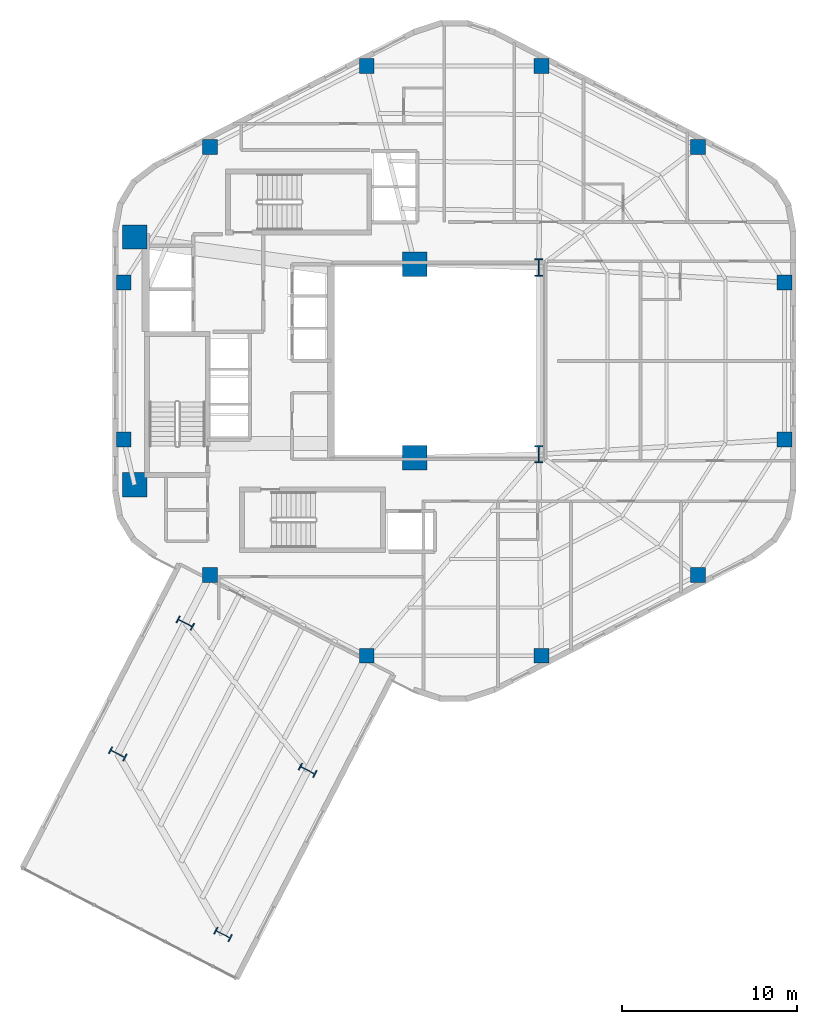
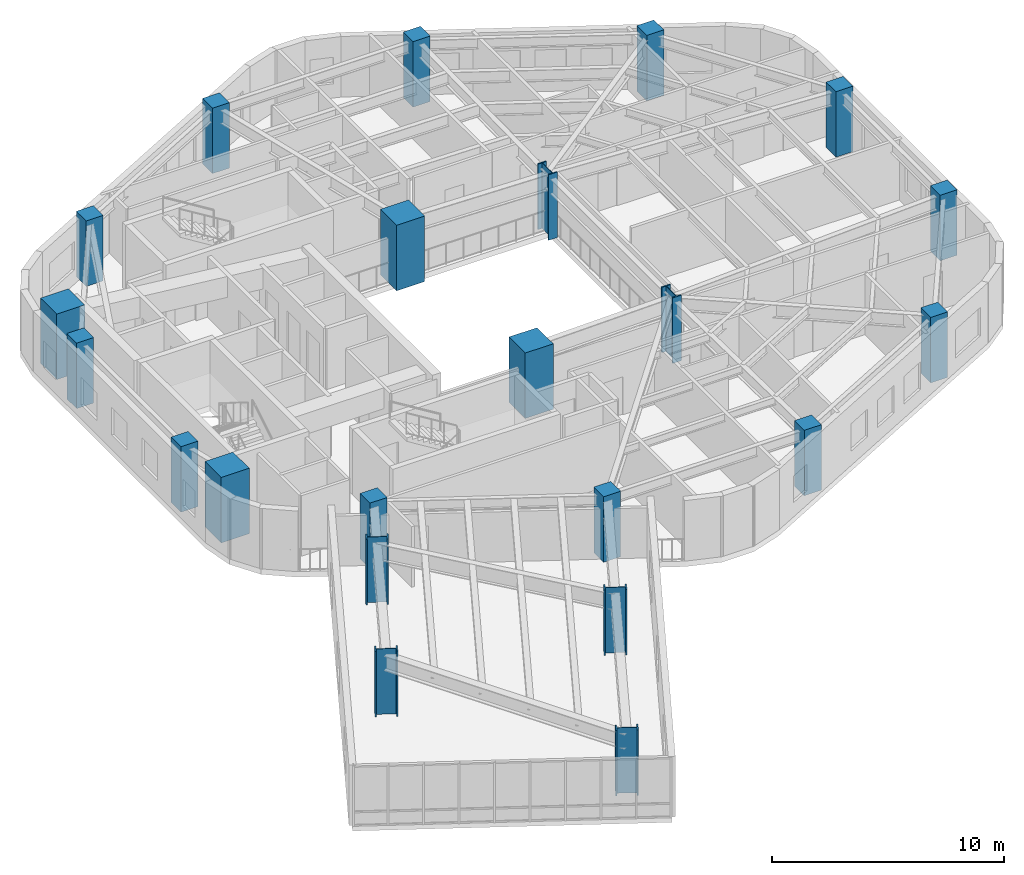
# One storey, part 1 of 10: 22 columns.
"""IFC4 building model written with IfcOpenShell, lengths in metres."""

import ifcopenshell
import ifcopenshell.guid

model = None  # the IFC model being written
_history = None  # IfcOwnerHistory: only IFC2X3 demands one
_inside = {}  # id of a spatial element -> (the spatial element, [elements in it])
_under = {}  # id of a project, library or spatial element -> (it, [spatial elements below it])
_declared = {}  # id of a project -> (the project, [libraries it declares])
_typed = {}  # id of a type object -> (the type object, [elements of that type])
_made_of = {}  # id of a material, layer set ... -> (it, [elements and type objects made of it])


def new_model(schema):
    """Start an empty IFC model of exactly this schema.

    Asked for "IFC4X3", IfcOpenShell would pick the latest addendum, in which some entities
    have other attributes; the version numbers below select the first issue.
    IFC2X3 requires an IfcOwnerHistory on every rooted entity: one is made here for all.
    """
    global model, _history
    if schema == "IFC4X3":
        model = ifcopenshell.file(schema_version=(4, 3, 0, 0))
    else:
        model = ifcopenshell.file(schema=schema)
    _inside.clear()
    _under.clear()
    _declared.clear()
    _typed.clear()
    _made_of.clear()
    _history = None
    if model.schema == "IFC2X3":
        org = make("IfcOrganization", Name="unknown")
        user = make(
            "IfcPersonAndOrganization",
            ThePerson=make("IfcPerson", FamilyName="unknown"),
            TheOrganization=org,
        )
        app = make(
            "IfcApplication",
            ApplicationDeveloper=org,
            Version="unknown",
            ApplicationFullName="unknown",
            ApplicationIdentifier="unknown",
        )
        _history = make(
            "IfcOwnerHistory",
            OwningUser=user,
            OwningApplication=app,
            ChangeAction="ADDED",
            CreationDate=0,
        )
    return model


def make(cls, **values):
    """One entity of the class cls with the attributes given. An attribute that is None is left unset."""
    return model.create_entity(
        cls, **{name: value for name, value in values.items() if value is not None}
    )


def rooted(cls, **values):
    """An entity with a GlobalId (a new one), such as an element, a storey or a relation."""
    return make(cls, GlobalId=ifcopenshell.guid.new(), OwnerHistory=_history, **values)


def si_unit(unit_type, name, prefix=None):
    """IfcSIUnit, for example si_unit("LENGTHUNIT", "METRE", prefix="MILLI")."""
    return make("IfcSIUnit", UnitType=unit_type, Prefix=prefix, Name=name)


def assignment(units):
    """IfcUnitAssignment: the units of a project."""
    return None if units is None else make("IfcUnitAssignment", Units=units)


def point(xyz):
    """IfcCartesianPoint."""
    return None if xyz is None else make("IfcCartesianPoint", Coordinates=xyz)


def direction(xyz):
    """IfcDirection."""
    return None if xyz is None else make("IfcDirection", DirectionRatios=xyz)


def frame(location, z_axis=None, x_axis=None):
    """IfcAxis2Placement3D, a coordinate frame: its origin and axes. An axis left out is left unset."""
    return make(
        "IfcAxis2Placement3D",
        Location=point(location),
        Axis=direction(z_axis),
        RefDirection=direction(x_axis),
    )


def frame_2d(location, x_axis=None):
    """IfcAxis2Placement2D, a coordinate frame in the plane: its origin and x axis."""
    return make(
        "IfcAxis2Placement2D", Location=point(location), RefDirection=direction(x_axis)
    )


def origin():
    """The frame at (0, 0, 0) with its axes left unset."""
    return frame((0.0, 0.0, 0.0))


def origin_2d():
    """The frame at (0, 0) in the plane with its x axis left unset."""
    return frame_2d((0.0, 0.0))


def place(relative_to, where):
    """IfcLocalPlacement: puts the frame where relative to a parent placement (None: the world)."""
    return make(
        "IfcLocalPlacement", PlacementRelTo=relative_to, RelativePlacement=where
    )


def context(
    kind, dimensions, precision=None, world=None, true_north=None, identifier=None
):
    """IfcGeometricRepresentationContext, for example the 3D "Model" context."""
    return make(
        "IfcGeometricRepresentationContext",
        ContextIdentifier=identifier,
        ContextType=kind,
        CoordinateSpaceDimension=dimensions,
        Precision=precision,
        WorldCoordinateSystem=world,
        TrueNorth=true_north,
    )


def subcontext(parent, identifier, kind, view, scale=None):
    """IfcGeometricRepresentationSubContext, for example "Body" below "Model"."""
    return make(
        "IfcGeometricRepresentationSubContext",
        ContextIdentifier=identifier,
        ContextType=kind,
        ParentContext=parent,
        TargetScale=scale,
        TargetView=view,
    )


def project(units=None, contexts=None):
    """IfcProject with its units and contexts."""
    return rooted(
        "IfcProject",
        Name="project",
        RepresentationContexts=contexts,
        UnitsInContext=assignment(units),
    )


def spatial(cls, under=None, at=None, **own):
    """A site, building, storey or space (cls), placed at a placement, below another one or the project."""
    s = rooted(cls, ObjectPlacement=at, **own)
    if under is not None:
        _under.setdefault(under.id(), (under, []))[1].append(s)
    return s


def profile(cls, at=None, kind="AREA", **sizes):
    """A parametric profile (cls). Its sizes go by their IFC names, for example OverallWidth=200.0."""
    return make(cls, ProfileType=kind, Position=at, **sizes)


def rectangle(**sizes):
    """IfcRectangleProfileDef."""
    return profile("IfcRectangleProfileDef", **sizes)


def i_section(**sizes):
    """IfcIShapeProfileDef."""
    return profile("IfcIShapeProfileDef", **sizes)


def extrude(swept, where, along, depth):
    """IfcExtrudedAreaSolid: the profile swept, set in the frame where, extruded along a direction by depth."""
    return make(
        "IfcExtrudedAreaSolid",
        SweptArea=swept,
        Position=where,
        ExtrudedDirection=direction(along),
        Depth=depth,
    )


def shape(context_of_items, identifier, shape_type, items):
    """IfcShapeRepresentation: the items that make up one representation, for example the "Body"."""
    return make(
        "IfcShapeRepresentation",
        ContextOfItems=context_of_items,
        RepresentationIdentifier=identifier,
        RepresentationType=shape_type,
        Items=items,
    )


def material(Name=None, Category=None):
    """IfcMaterial."""
    return make("IfcMaterial", Name=Name, Category=Category)


def material_profile(
    of_material, cross_section, Name=None, Category=None, Priority=None
):
    """IfcMaterialProfile: a cross section and its material."""
    return make(
        "IfcMaterialProfile",
        Name=Name,
        Material=of_material,
        Profile=cross_section,
        Priority=Priority,
        Category=Category,
    )


def profile_set(profiles, Name=None, composite=None):
    """IfcMaterialProfileSet."""
    return make(
        "IfcMaterialProfileSet",
        Name=Name,
        MaterialProfiles=profiles,
        CompositeProfile=composite,
    )


def made_of(thing, what):
    """Note that an element or type object is made of a material, layer set ...; save() writes the relation."""
    if what is not None:
        _made_of.setdefault(what.id(), (what, []))[1].append(thing)
    return thing


def type_object(cls, material=None, **own):
    """A type object (cls), such as IfcWallType, which elements share."""
    return made_of(rooted(cls, **own), material)


def element(
    cls,
    number,
    at=None,
    inside=None,
    cuts=None,
    type_object=None,
    material=None,
    context=None,
    identifier="Body",
    shape_type=None,
    held_by="IfcProductDefinitionShape",
    body=None,
    shapes=None,
    **own,
):
    """One element of the class cls, such as IfcWall. Its Tag is "e" and its number.

    at: its placement. inside: the storey or other place that contains it. cuts: it is an
    opening in that element (IfcRelVoidsElement). A single representation is given by context,
    identifier, shape_type and body (its items); several are given by shapes. held_by: the class
    of the entity that holds the representations. save() writes the other relations.
    """
    e = rooted(cls, Tag="e%d" % number, ObjectPlacement=at, **own)
    if body is not None:
        shapes = [shape(context, identifier, shape_type, body)]
    if shapes is not None:
        e.Representation = make(held_by, Representations=shapes)
    if inside is not None:
        _inside.setdefault(inside.id(), (inside, []))[1].append(e)
    if cuts is not None:
        rooted(
            "IfcRelVoidsElement", RelatingBuildingElement=cuts, RelatedOpeningElement=e
        )
    if type_object is not None:
        _typed.setdefault(type_object.id(), (type_object, []))[1].append(e)
    return made_of(e, material)


def aggregate(whole, parts):
    """IfcRelAggregates: a whole, such as a stair, and the parts it consists of."""
    return rooted("IfcRelAggregates", RelatingObject=whole, RelatedObjects=parts)


def save(model, path):
    """Write the relations noted so far, then the file.

    IfcRelAggregates (storeys below a building ...), IfcRelContainedInSpatialStructure (elements
    in a storey), IfcRelDefinesByType, IfcRelAssociatesMaterial and IfcRelDeclares: one each for
    every whole, place, type object, material and project.
    """
    for whole, parts in _under.values():
        aggregate(whole, parts)
    for where, things in _inside.values():
        rooted(
            "IfcRelContainedInSpatialStructure",
            RelatedElements=things,
            RelatingStructure=where,
        )
    for kind, things in _typed.values():
        rooted("IfcRelDefinesByType", RelatedObjects=things, RelatingType=kind)
    for what, things in _made_of.values():
        rooted("IfcRelAssociatesMaterial", RelatedObjects=things, RelatingMaterial=what)
    for by, libraries in _declared.values():
        rooted("IfcRelDeclares", RelatingContext=by, RelatedDefinitions=libraries)
    model.write(path)


model = new_model("IFC4")

# Units and contexts
model_context = context("Model", 3, precision=1e-05, world=origin(), true_north=direction((0.0, 1.0)))
body_context = subcontext(model_context, "Body", "Model", "MODEL_VIEW")
ifc_project = project(units=[si_unit("LENGTHUNIT", "METRE"), si_unit("AREAUNIT", "SQUARE_METRE"), si_unit("VOLUMEUNIT", "CUBIC_METRE"), si_unit("PLANEANGLEUNIT", "RADIAN"), si_unit("MASSUNIT", "GRAM", prefix="KILO"), si_unit("THERMODYNAMICTEMPERATUREUNIT", "KELVIN"), si_unit("POWERUNIT", "WATT")], contexts=[model_context])

# Site, building, storey
site_placement = place(None, origin())
site = spatial("IfcSite", under=ifc_project, at=site_placement, CompositionType="ELEMENT")
building_placement = place(site_placement, origin())
building = spatial("IfcBuilding", under=site, at=building_placement, Name="Skarre Station Tower", CompositionType="ELEMENT")
storey_placement = place(building_placement, frame((0.0, 0.0, 180.89990234375)))
storey = spatial("IfcBuildingStorey", under=building, at=storey_placement, Name="L49", CompositionType="ELEMENT", Elevation=180.89990234375)

# Columns
ifc_material_1 = material(Name="Concrete C70/85", Category="concrete")
ifc_material_profile_1 = material_profile(ifc_material_1, rectangle(XDim=1.39990234375, YDim=1.39990234375, at=origin_2d()), Name="Concrete C70/85")
ifc_profile_set_1 = profile_set([ifc_material_profile_1], Name="Concrete C70/85")
column_type_1 = type_object("IfcColumnType", Name="RC Structural Column RC-COL-1400X1400", PredefinedType="COLUMN", material=ifc_profile_set_1)
for number, where, z_axis, x_axis, name in (
    (1, (16.300048828125, 16.89990234375, 0.0), (0.0, 0.0, 1.0), (1.0, 0.0, 0.0), "L49 Core Column CC-SW"),
    (2, (16.300048828125, 31.10009765625, 0.0), (0.0, 0.0, 1.0), (1.0, 0.0, 0.0), "L49 Core Column CC-NW"),
    (3, (32.35009765625, 18.449951171875, 0.0), (0.0, 0.0, 1.0), (1.0, 0.0, 0.0), "L49 Core Column CC-SE"),
    (4, (32.35009765625, 29.550048828125, 0.0), (0.0, 0.0, 1.0), (1.0, 0.0, 0.0), "L49 Core Column CC-NE"),
):
    element("IfcColumn", number, at=place(storey_placement, frame(where, z_axis=z_axis, x_axis=x_axis)), inside=storey, type_object=column_type_1, Name=name, PredefinedType="COLUMN", context=body_context, shape_type="SweptSolid", body=[
        extrude(rectangle(XDim=1.39990234375, YDim=1.39990234375, at=origin_2d()), origin(), (0.0, 0.0, 1.0), 3.4501953125),
    ])
ifc_material_2 = material(Name="Concrete C50/60", Category="concrete")
ifc_material_profile_2 = material_profile(ifc_material_2, rectangle(XDim=0.85009765625, YDim=0.85009765625, at=origin_2d()), Name="Concrete C50/60")
ifc_profile_set_2 = profile_set([ifc_material_profile_2], Name="Concrete C50/60")
column_type_2 = type_object("IfcColumnType", Name="RC Structural Column RC-COL-850X850", PredefinedType="COLUMN", material=ifc_profile_set_2)
for number, where, z_axis, x_axis, name in (
    (5, (48.573974609375, 36.257080078125, 0.0), (0.0, 0.0, 1.0), (1.0, 0.0, 0.0), "L49 Zone 3 Perimeter Column F0C1"),
    (6, (39.60205078125, 40.887939453125, 0.0), (0.0, 0.0, 1.0), (1.0, 0.0, 0.0), "L49 Zone 3 Perimeter Column F0C2"),
    (7, (29.597900390625, 40.887939453125, 0.0), (0.0, 0.0, 1.0), (1.0, 0.0, 0.0), "L49 Zone 3 Perimeter Column F1C1"),
    (8, (20.6259765625, 36.257080078125, 0.0), (0.0, 0.0, 1.0), (1.0, 0.0, 0.0), "L49 Zone 3 Perimeter Column F1C2"),
    (9, (15.677978515625, 28.5009765625, 0.0), (0.0, 0.0, 1.0), (1.0, 0.0, 0.0), "L49 Zone 3 Perimeter Column F2C1"),
    (10, (15.677978515625, 19.4990234375, 0.0), (0.0, 0.0, 1.0), (1.0, 0.0, 0.0), "L49 Zone 3 Perimeter Column F2C2"),
    (11, (20.6259765625, 11.742919921875, 0.0), (0.0, 0.0, 1.0), (1.0, 0.0, 0.0), "L49 Zone 3 Perimeter Column F3C1"),
    (12, (29.597900390625, 7.112060546875, 0.0), (0.0, 0.0, 1.0), (1.0, 0.0, 0.0), "L49 Zone 3 Perimeter Column F3C2"),
    (13, (39.60205078125, 7.112060546875, 0.0), (0.0, 0.0, 1.0), (1.0, 0.0, 0.0), "L49 Zone 3 Perimeter Column F4C1"),
    (14, (48.573974609375, 11.742919921875, 0.0), (0.0, 0.0, 1.0), (1.0, 0.0, 0.0), "L49 Zone 3 Perimeter Column F4C2"),
    (15, (53.52197265625, 19.4990234375, 0.0), (0.0, 0.0, 1.0), (1.0, 0.0, 0.0), "L49 Zone 3 Perimeter Column F5C1"),
    (16, (53.52197265625, 28.5009765625, 0.0), (0.0, 0.0, 1.0), (1.0, 0.0, 0.0), "L49 Zone 3 Perimeter Column F5C2"),
):
    element("IfcColumn", number, at=place(storey_placement, frame(where, z_axis=z_axis, x_axis=x_axis)), inside=storey, type_object=column_type_2, Name=name, PredefinedType="COLUMN", context=body_context, shape_type="SweptSolid", body=[
        extrude(rectangle(XDim=0.85009765625, YDim=0.85009765625, at=origin_2d()), origin(), (0.0, 0.0, 1.0), 3.4501953125),
    ])
ifc_material_3 = material(Name="Steel ASTM A913 Grade 65", Category="steel")
ifc_material_profile_3 = material_profile(ifc_material_3, i_section(OverallWidth=0.430908203125, OverallDepth=0.987060546875, WebThickness=0.033935546875, FlangeThickness=0.06201171875, at=origin_2d()), Name="Steel ASTM A913 Grade 65")
ifc_profile_set_3 = profile_set([ifc_material_profile_3], Name="Steel ASTM A913 Grade 65")
column_type_3 = type_object("IfcColumnType", Name="Steel Column W36X441", PredefinedType="COLUMN", material=ifc_profile_set_3)
for number, where, z_axis, x_axis, name in (
    (17, (39.449951171875, 18.64990234375, 0.0), (0.0, 0.0, 1.0), (1.0, 0.0, 0.0), "L49 Atrium Spine Column AC-SE"),
    (18, (39.449951171875, 29.35009765625, 0.0), (0.0, 0.0, 1.0), (1.0, 0.0, 0.0), "L49 Atrium Spine Column AC-NE"),
    (19, (19.2041015625, 8.988037109375, 0.0), (0.0, 0.0, 1.0), (-0.458634045118, -0.888625237464, 0.0), "L49 SB-4 Sky-Bar Frame Column M1"),
    (20, (26.212890625, 0.553955078125, 0.0), (0.0, 0.0, 1.0), (-0.458634045118, -0.888625237464, 0.0), "L49 SB-4 Sky-Bar Frame Column M2"),
    (21, (15.337890625, 1.4970703125, 0.0), (0.0, 0.0, 1.0), (-0.458634045118, -0.888625237464, 0.0), "L49 SB-4 Sky-Bar Frame Column T1"),
    (22, (21.364990234375, -8.839111328125, 0.0), (0.0, 0.0, 1.0), (-0.458634045118, -0.888625237464, 0.0), "L49 SB-4 Sky-Bar Frame Column T2"),
):
    element("IfcColumn", number, at=place(storey_placement, frame(where, z_axis=z_axis, x_axis=x_axis)), inside=storey, type_object=column_type_3, Name=name, PredefinedType="COLUMN", context=body_context, shape_type="SweptSolid", body=[
        extrude(i_section(OverallWidth=0.430908203125, OverallDepth=0.987060546875, WebThickness=0.033935546875, FlangeThickness=0.06201171875, at=origin_2d()), origin(), (0.0, 0.0, 1.0), 3.4501953125),
    ])

save(model, "model.ifc")
